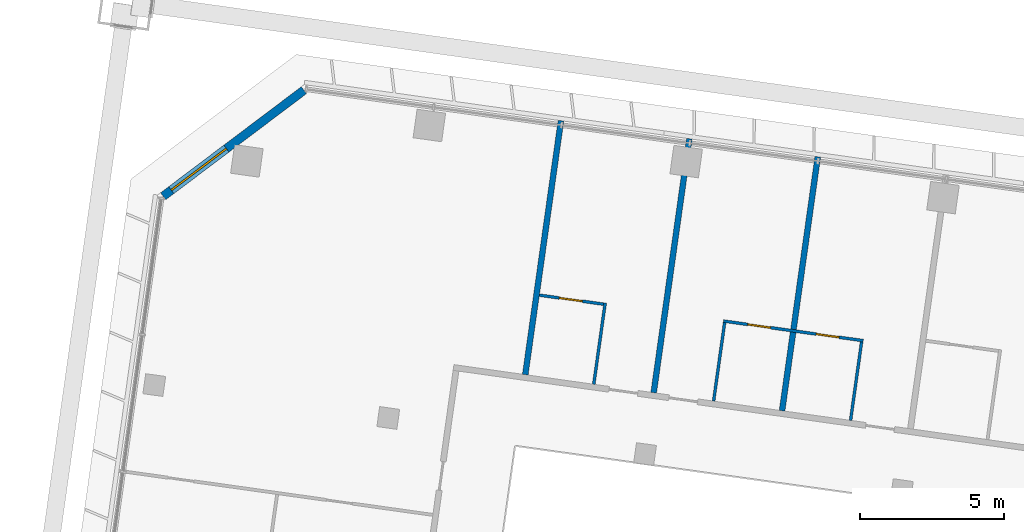
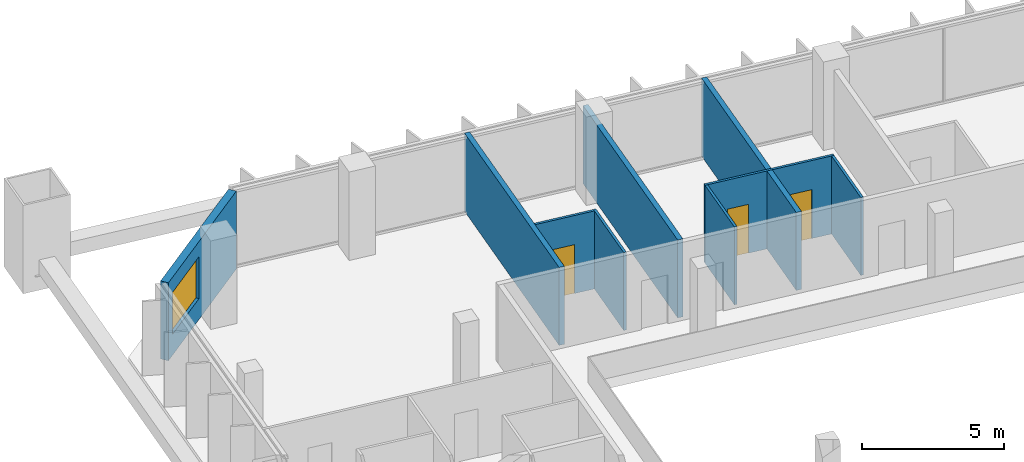
# One storey, part 27 of 46: 9 walls, 3 doors, 1 window, 4 openings.
"""IFC4 building model written with IfcOpenShell, lengths in metres."""

from ifc_helpers import new_model, si_unit, direction, frame, frame_2d, origin, place, context, subcontext, project, spatial, rectangle, extrude, material, layer, layer_set, type_object, element, fill, save


model = new_model("IFC4")

# Units and contexts
model_context = context("Model", 3, precision=1e-05, world=origin(), true_north=direction((0.0, 1.0)))
body_context = subcontext(model_context, "Body", "Model", "MODEL_VIEW")
ifc_project = project(units=[si_unit("LENGTHUNIT", "METRE"), si_unit("AREAUNIT", "SQUARE_METRE"), si_unit("VOLUMEUNIT", "CUBIC_METRE"), si_unit("PLANEANGLEUNIT", "RADIAN"), si_unit("MASSUNIT", "GRAM", prefix="KILO")], contexts=[model_context])

# Site, building, storey
site_placement = place(None, origin())
site = spatial("IfcSite", under=ifc_project, at=site_placement, CompositionType="ELEMENT")
building_placement = place(site_placement, origin())
building = spatial("IfcBuilding", under=site, at=building_placement, Name="Mirante Cascada Hotel Towers", CompositionType="ELEMENT")
storey_placement = place(building_placement, frame((0.0, 0.0, 39.5)))
storey = spatial("IfcBuildingStorey", under=building, at=storey_placement, Name="L06", CompositionType="ELEMENT", Elevation=39.5)

# Walls
ifc_material_1 = material(Name="Fire-rated plasterboard on metal studs")
ifc_layer_1 = layer(ifc_material_1, 0.2)
ifc_layer_set_1 = layer_set([ifc_layer_1], Name="Compartment wall 200 EI 120")
wall_type_1 = type_object("IfcWallType", Name="Compartment wall 200 EI 120", PredefinedType="PARTITIONING", material=ifc_layer_set_1)
wall_1_placement = place(storey_placement, frame((-77.6126, 14.8908, 0.0), z_axis=(0.0, 0.0, 1.0), x_axis=(0.1391684, 0.9902687, 0.0)))
element("IfcWall", 1, at=wall_1_placement, inside=storey, type_object=wall_type_1, Name="Wall 1-L06-49", PredefinedType="PARTITIONING", context=body_context, shape_type="SweptSolid", body=[
    extrude(rectangle(XDim=8.9, YDim=0.2, at=frame_2d((4.45, 0.0))), origin(), (0.0, 0.0, 1.0), 3.35),
])
wall_2_placement = place(storey_placement, frame((-82.0688, 15.5171, 0.0), z_axis=(0.0, 0.0, 1.0), x_axis=(0.13917, 0.9902685, 0.0)))
element("IfcWall", 2, at=wall_2_placement, inside=storey, type_object=wall_type_1, Name="Wall 1-L06-51", PredefinedType="PARTITIONING", context=body_context, shape_type="SweptSolid", body=[
    extrude(rectangle(XDim=8.8999, YDim=0.2, at=frame_2d((4.45, 0.0))), origin(), (0.0, 0.0, 1.0), 3.35),
])
wall_3_placement = place(storey_placement, frame((-86.525, 16.1433, 0.0), z_axis=(0.0, 0.0, 1.0), x_axis=(0.1391684, 0.9902687, 0.0)))
element("IfcWall", 3, at=wall_3_placement, inside=storey, type_object=wall_type_1, Name="Wall 1-L06-53", PredefinedType="PARTITIONING", context=body_context, shape_type="SweptSolid", body=[
    extrude(rectangle(XDim=8.9, YDim=0.2, at=frame_2d((4.45, 0.0))), origin(), (0.0, 0.0, 1.0), 3.35),
])

# Wall, openings, doors
ifc_material_2 = material(Name="Plasterboard on metal studs")
ifc_layer_2 = layer(ifc_material_2, 0.1)
ifc_layer_set_2 = layer_set([ifc_layer_2], Name="Partition 100")
wall_type_2 = type_object("IfcWallType", Name="Partition 100", PredefinedType="PARTITIONING", material=ifc_layer_set_2)
wall_4_placement = place(storey_placement, frame((-79.6491, 18.0045, 0.0), z_axis=(0.0, 0.0, 1.0), x_axis=(0.9902694, -0.1391638, 0.0)))
wall_4 = element("IfcWall", 4, at=wall_4_placement, inside=storey, type_object=wall_type_2, Name="Wall 1-L06-22", PredefinedType="PARTITIONING", context=body_context, shape_type="SweptSolid", body=[
    extrude(rectangle(XDim=4.9, YDim=0.1, at=frame_2d((2.45, 0.0))), origin(), (0.0, 0.0, 1.0), 3.35),
])
opening_1_placement = place(wall_4_placement, frame((3.25, 0.0, 0.0)))
opening_1 = element("IfcOpeningElement", 5, at=opening_1_placement, cuts=wall_4, Name="Opening D1-L06-23", PredefinedType="OPENING", context=body_context, shape_type="SweptSolid", body=[
    extrude(rectangle(XDim=0.8, YDim=2.1, at=frame_2d((0.4, 1.05))), frame((0.0, 0.05, 0.0), z_axis=(0.0, -1.0, 0.0), x_axis=(1.0, 0.0, 0.0)), (0.0, 0.0, 1.0), 0.1),
])
opening_2_placement = place(wall_4_placement, frame((0.85, 0.0, 0.0)))
opening_2 = element("IfcOpeningElement", 6, at=opening_2_placement, cuts=wall_4, Name="Opening D1-L06-24", PredefinedType="OPENING", context=body_context, shape_type="SweptSolid", body=[
    extrude(rectangle(XDim=0.8, YDim=2.1, at=frame_2d((0.4, 1.05))), frame((0.0, 0.05, 0.0), z_axis=(0.0, -1.0, 0.0), x_axis=(1.0, 0.0, 0.0)), (0.0, 0.0, 1.0), 0.1),
])
ifc_material_3 = material(Name="Timber door leaf", Category="wood")
door_type = type_object("IfcDoorType", Name="Bathroom door DG4 800x2100", OperationType="SINGLE_SWING_LEFT", PredefinedType="DOOR", material=ifc_material_3)
door_1_placement = place(opening_1_placement, origin())
door_1 = element("IfcDoor", 7, at=door_1_placement, inside=storey, type_object=door_type, Name="Door D1-L06-23", OperationType="SINGLE_SWING_LEFT", OverallHeight=2.1, OverallWidth=0.8, PredefinedType="DOOR", context=body_context, shape_type="SweptSolid", body=[
    extrude(rectangle(XDim=0.8, YDim=2.1, at=frame_2d((0.4, 1.05))), frame((0.0, 0.025, 0.0), z_axis=(0.0, -1.0, 0.0), x_axis=(1.0, 0.0, 0.0)), (0.0, 0.0, 1.0), 0.05),
])
fill(opening_1, door_1)
door_2_placement = place(opening_2_placement, origin())
door_2 = element("IfcDoor", 8, at=door_2_placement, inside=storey, type_object=door_type, Name="Door D1-L06-24", OperationType="SINGLE_SWING_LEFT", OverallHeight=2.1, OverallWidth=0.8, PredefinedType="DOOR", context=body_context, shape_type="SweptSolid", body=[
    extrude(rectangle(XDim=0.8, YDim=2.1, at=frame_2d((0.4, 1.05))), frame((0.0, 0.025, 0.0), z_axis=(0.0, -1.0, 0.0), x_axis=(1.0, 0.0, 0.0)), (0.0, 0.0, 1.0), 0.05),
])
fill(opening_2, door_2)

# Wall, opening, door
wall_5_placement = place(storey_placement, frame((-83.8082, 18.589, 0.0), z_axis=(0.0, 0.0, 1.0), x_axis=(-0.9902643, 0.1391997, 0.0)))
wall_5 = element("IfcWall", 9, at=wall_5_placement, inside=storey, type_object=wall_type_2, Name="Wall 1-L06-23", PredefinedType="PARTITIONING", context=body_context, shape_type="SweptSolid", body=[
    extrude(rectangle(XDim=2.25, YDim=0.1, at=frame_2d((1.125, 0.0))), origin(), (0.0, 0.0, 1.0), 3.35),
])
opening_3_placement = place(wall_5_placement, frame((0.75, 0.0, 0.0)))
opening_3 = element("IfcOpeningElement", 10, at=opening_3_placement, cuts=wall_5, Name="Opening D1-L06-25", PredefinedType="OPENING", context=body_context, shape_type="SweptSolid", body=[
    extrude(rectangle(XDim=0.8, YDim=2.1, at=frame_2d((0.4, 1.05))), frame((0.0, 0.05, 0.0), z_axis=(0.0, -1.0, 0.0), x_axis=(1.0, 0.0, 0.0)), (0.0, 0.0, 1.0), 0.1),
])
door_3_placement = place(opening_3_placement, frame((0.8, 0.0, 0.0), z_axis=(0.0, 0.0, 1.0), x_axis=(-1.0, 0.0, 0.0)))
door_3 = element("IfcDoor", 11, at=door_3_placement, inside=storey, type_object=door_type, Name="Door D1-L06-25", OperationType="SINGLE_SWING_RIGHT", OverallHeight=2.1, OverallWidth=0.8, PredefinedType="DOOR", context=body_context, shape_type="SweptSolid", body=[
    extrude(rectangle(XDim=0.8, YDim=2.1, at=frame_2d((0.4, 1.05))), frame((0.0, 0.025, 0.0), z_axis=(0.0, -1.0, 0.0), x_axis=(1.0, 0.0, 0.0)), (0.0, 0.0, 1.0), 0.05),
])
fill(opening_3, door_3)

# Walls
for number, where, z_axis, x_axis, name in (
    (12, (-74.8533, 17.28, 0.0), (0.0, 0.0, 1.0), (-0.1391657, -0.9902691, 0.0), "Wall 1-L06-48"),
    (13, (-79.6065, 17.948, 0.0), (0.0, 0.0, 1.0), (-0.1392013, -0.9902641, 0.0), "Wall 1-L06-50"),
):
    element("IfcWall", number, at=place(storey_placement, frame(where, z_axis=z_axis, x_axis=x_axis)), inside=storey, type_object=wall_type_2, Name=name, PredefinedType="PARTITIONING", context=body_context, shape_type="SweptSolid", body=[
        extrude(rectangle(XDim=2.75, YDim=0.1, at=frame_2d((1.375, 0.0))), origin(), (0.0, 0.0, 1.0), 3.35),
    ])
wall_6_placement = place(storey_placement, frame((-83.7517, 18.6316, 0.0), z_axis=(0.0, 0.0, 1.0), x_axis=(-0.1391909, -0.9902656, 0.0)))
element("IfcWall", 14, at=wall_6_placement, inside=storey, type_object=wall_type_2, Name="Wall 1-L06-52", PredefinedType="PARTITIONING", context=body_context, shape_type="SweptSolid", body=[
    extrude(rectangle(XDim=2.85, YDim=0.1, at=frame_2d((1.425, 0.0))), origin(), (0.0, 0.0, 1.0), 3.35),
])

# Wall, opening, window
ifc_material_4 = material(Name="Precast concrete C40/50", Category="concrete")
ifc_layer_3 = layer(ifc_material_4, 0.3)
ifc_layer_set_3 = layer_set([ifc_layer_3], Name="Precast concrete C40/50 cladding wall 300")
wall_type_3 = type_object("IfcWallType", Name="Precast concrete C40/50 cladding wall 300", PredefinedType="STANDARD", material=ifc_layer_set_3)
wall_7_placement = place(storey_placement, frame((-99.0919, 22.3343, 0.0), z_axis=(0.0, 0.0, 1.0), x_axis=(0.7986362, 0.6018141, 0.0)))
wall_7 = element("IfcWall", 15, at=wall_7_placement, inside=storey, type_object=wall_type_3, Name="Corner cladding wall T1 L06 outer front", PredefinedType="STANDARD", context=body_context, shape_type="SweptSolid", body=[
    extrude(rectangle(XDim=6.1157, YDim=0.3, at=frame_2d((3.0578, 0.0))), origin(), (0.0, 0.0, 1.0), 3.35),
])
opening_4_placement = place(wall_7_placement, frame((0.35, 0.0, 0.9)))
opening_4 = element("IfcOpeningElement", 16, at=opening_4_placement, cuts=wall_7, Name="Opening W1-06-06", PredefinedType="OPENING", context=body_context, shape_type="SweptSolid", body=[
    extrude(rectangle(XDim=2.4, YDim=1.8, at=frame_2d((1.2, 0.9))), frame((0.0, 0.15, 0.0), z_axis=(0.0, -1.0, 0.0), x_axis=(1.0, 0.0, 0.0)), (0.0, 0.0, 1.0), 0.3),
])
ifc_material_5 = material(Name="Aluminium frame with clear double glazing", Category="aluminium")
window_type = type_object("IfcWindowType", Name="Punched window 2400x1800", PartitioningType="DOUBLE_PANEL_VERTICAL", PredefinedType="WINDOW", material=ifc_material_5)
window_placement = place(opening_4_placement, origin())
window = element("IfcWindow", 17, at=window_placement, inside=storey, type_object=window_type, Name="Window W1-06-06", OverallHeight=1.8, OverallWidth=2.4, PartitioningType="SINGLE_PANEL", PredefinedType="WINDOW", context=body_context, shape_type="SweptSolid", body=[
    extrude(rectangle(XDim=2.4, YDim=1.8, at=frame_2d((1.2, 0.9))), frame((0.0, 0.03, 0.0), z_axis=(0.0, -1.0, 0.0), x_axis=(1.0, 0.0, 0.0)), (0.0, 0.0, 1.0), 0.06),
])
fill(opening_4, window)

save(model, "model.ifc")
